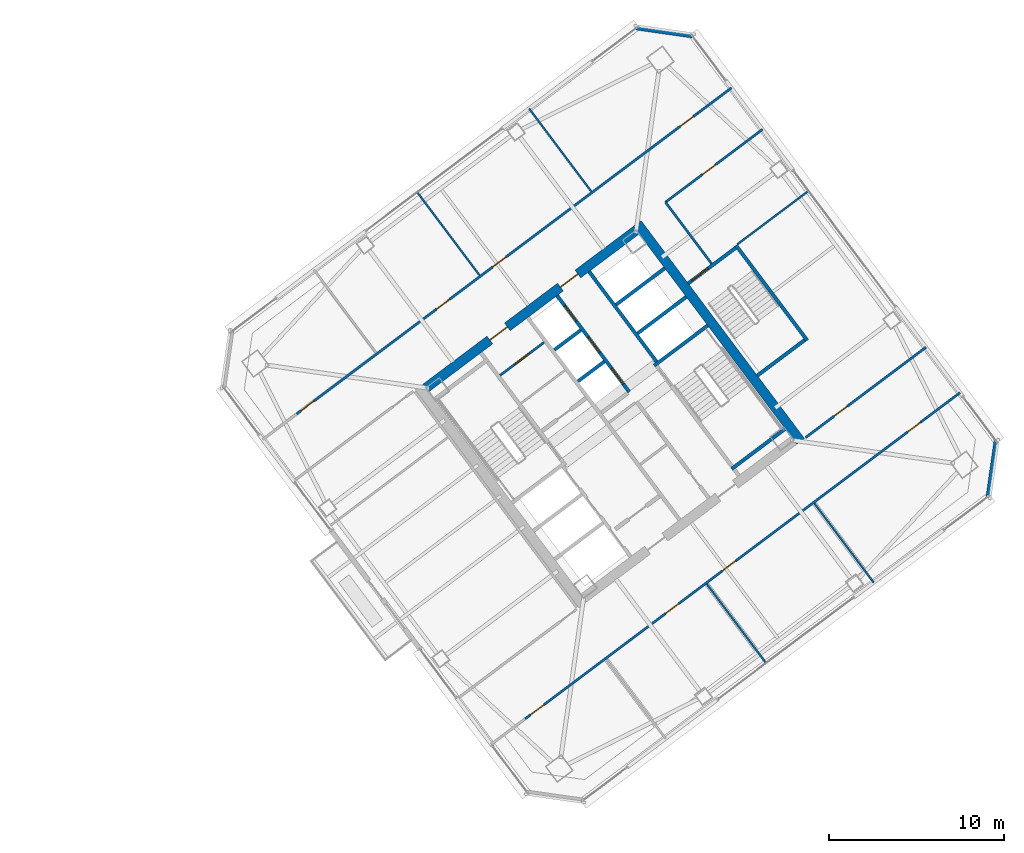
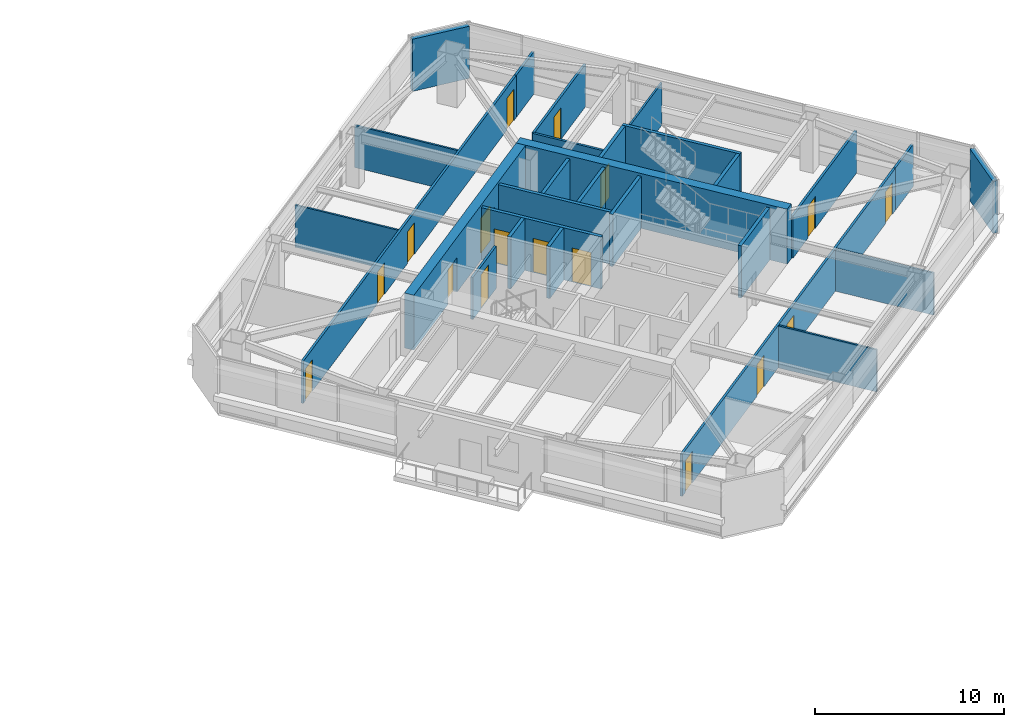
# One storey, part 34 of 41: 28 walls, 17 doors, 17 openings.
"""IFC4 building model written with IfcOpenShell, lengths in metres."""

import ifcopenshell
import ifcopenshell.guid

model = None  # the IFC model being written
_history = None  # IfcOwnerHistory: only IFC2X3 demands one
_inside = {}  # id of a spatial element -> (the spatial element, [elements in it])
_under = {}  # id of a project, library or spatial element -> (it, [spatial elements below it])
_declared = {}  # id of a project -> (the project, [libraries it declares])
_typed = {}  # id of a type object -> (the type object, [elements of that type])
_made_of = {}  # id of a material, layer set ... -> (it, [elements and type objects made of it])


def new_model(schema):
    """Start an empty IFC model of exactly this schema.

    Asked for "IFC4X3", IfcOpenShell would pick the latest addendum, in which some entities
    have other attributes; the version numbers below select the first issue.
    IFC2X3 requires an IfcOwnerHistory on every rooted entity: one is made here for all.
    """
    global model, _history
    if schema == "IFC4X3":
        model = ifcopenshell.file(schema_version=(4, 3, 0, 0))
    else:
        model = ifcopenshell.file(schema=schema)
    _inside.clear()
    _under.clear()
    _declared.clear()
    _typed.clear()
    _made_of.clear()
    _history = None
    if model.schema == "IFC2X3":
        org = make("IfcOrganization", Name="unknown")
        user = make(
            "IfcPersonAndOrganization",
            ThePerson=make("IfcPerson", FamilyName="unknown"),
            TheOrganization=org,
        )
        app = make(
            "IfcApplication",
            ApplicationDeveloper=org,
            Version="unknown",
            ApplicationFullName="unknown",
            ApplicationIdentifier="unknown",
        )
        _history = make(
            "IfcOwnerHistory",
            OwningUser=user,
            OwningApplication=app,
            ChangeAction="ADDED",
            CreationDate=0,
        )
    return model


def make(cls, **values):
    """One entity of the class cls with the attributes given. An attribute that is None is left unset."""
    return model.create_entity(
        cls, **{name: value for name, value in values.items() if value is not None}
    )


def rooted(cls, **values):
    """An entity with a GlobalId (a new one), such as an element, a storey or a relation."""
    return make(cls, GlobalId=ifcopenshell.guid.new(), OwnerHistory=_history, **values)


def si_unit(unit_type, name, prefix=None):
    """IfcSIUnit, for example si_unit("LENGTHUNIT", "METRE", prefix="MILLI")."""
    return make("IfcSIUnit", UnitType=unit_type, Prefix=prefix, Name=name)


def assignment(units):
    """IfcUnitAssignment: the units of a project."""
    return None if units is None else make("IfcUnitAssignment", Units=units)


def point(xyz):
    """IfcCartesianPoint."""
    return None if xyz is None else make("IfcCartesianPoint", Coordinates=xyz)


def direction(xyz):
    """IfcDirection."""
    return None if xyz is None else make("IfcDirection", DirectionRatios=xyz)


def frame(location, z_axis=None, x_axis=None):
    """IfcAxis2Placement3D, a coordinate frame: its origin and axes. An axis left out is left unset."""
    return make(
        "IfcAxis2Placement3D",
        Location=point(location),
        Axis=direction(z_axis),
        RefDirection=direction(x_axis),
    )


def frame_2d(location, x_axis=None):
    """IfcAxis2Placement2D, a coordinate frame in the plane: its origin and x axis."""
    return make(
        "IfcAxis2Placement2D", Location=point(location), RefDirection=direction(x_axis)
    )


def origin():
    """The frame at (0, 0, 0) with its axes left unset."""
    return frame((0.0, 0.0, 0.0))


def place(relative_to, where):
    """IfcLocalPlacement: puts the frame where relative to a parent placement (None: the world)."""
    return make(
        "IfcLocalPlacement", PlacementRelTo=relative_to, RelativePlacement=where
    )


def context(
    kind, dimensions, precision=None, world=None, true_north=None, identifier=None
):
    """IfcGeometricRepresentationContext, for example the 3D "Model" context."""
    return make(
        "IfcGeometricRepresentationContext",
        ContextIdentifier=identifier,
        ContextType=kind,
        CoordinateSpaceDimension=dimensions,
        Precision=precision,
        WorldCoordinateSystem=world,
        TrueNorth=true_north,
    )


def subcontext(parent, identifier, kind, view, scale=None):
    """IfcGeometricRepresentationSubContext, for example "Body" below "Model"."""
    return make(
        "IfcGeometricRepresentationSubContext",
        ContextIdentifier=identifier,
        ContextType=kind,
        ParentContext=parent,
        TargetScale=scale,
        TargetView=view,
    )


def project(units=None, contexts=None):
    """IfcProject with its units and contexts."""
    return rooted(
        "IfcProject",
        Name="project",
        RepresentationContexts=contexts,
        UnitsInContext=assignment(units),
    )


def spatial(cls, under=None, at=None, **own):
    """A site, building, storey or space (cls), placed at a placement, below another one or the project."""
    s = rooted(cls, ObjectPlacement=at, **own)
    if under is not None:
        _under.setdefault(under.id(), (under, []))[1].append(s)
    return s


def profile(cls, at=None, kind="AREA", **sizes):
    """A parametric profile (cls). Its sizes go by their IFC names, for example OverallWidth=200.0."""
    return make(cls, ProfileType=kind, Position=at, **sizes)


def rectangle(**sizes):
    """IfcRectangleProfileDef."""
    return profile("IfcRectangleProfileDef", **sizes)


def extrude(swept, where, along, depth):
    """IfcExtrudedAreaSolid: the profile swept, set in the frame where, extruded along a direction by depth."""
    return make(
        "IfcExtrudedAreaSolid",
        SweptArea=swept,
        Position=where,
        ExtrudedDirection=direction(along),
        Depth=depth,
    )


def shape(context_of_items, identifier, shape_type, items):
    """IfcShapeRepresentation: the items that make up one representation, for example the "Body"."""
    return make(
        "IfcShapeRepresentation",
        ContextOfItems=context_of_items,
        RepresentationIdentifier=identifier,
        RepresentationType=shape_type,
        Items=items,
    )


def material(Name=None, Category=None):
    """IfcMaterial."""
    return make("IfcMaterial", Name=Name, Category=Category)


def layer(
    of_material, thickness, ventilated=None, Name=None, Category=None, Priority=None
):
    """IfcMaterialLayer: one layer of a wall or slab, of a material (None: an air gap)."""
    return make(
        "IfcMaterialLayer",
        Material=of_material,
        LayerThickness=thickness,
        IsVentilated=ventilated,
        Name=Name,
        Category=Category,
        Priority=Priority,
    )


def layer_set(layers, Name=None):
    """IfcMaterialLayerSet."""
    return make("IfcMaterialLayerSet", MaterialLayers=layers, LayerSetName=Name)


def made_of(thing, what):
    """Note that an element or type object is made of a material, layer set ...; save() writes the relation."""
    if what is not None:
        _made_of.setdefault(what.id(), (what, []))[1].append(thing)
    return thing


def type_object(cls, material=None, **own):
    """A type object (cls), such as IfcWallType, which elements share."""
    return made_of(rooted(cls, **own), material)


def element(
    cls,
    number,
    at=None,
    inside=None,
    cuts=None,
    type_object=None,
    material=None,
    context=None,
    identifier="Body",
    shape_type=None,
    held_by="IfcProductDefinitionShape",
    body=None,
    shapes=None,
    **own,
):
    """One element of the class cls, such as IfcWall. Its Tag is "e" and its number.

    at: its placement. inside: the storey or other place that contains it. cuts: it is an
    opening in that element (IfcRelVoidsElement). A single representation is given by context,
    identifier, shape_type and body (its items); several are given by shapes. held_by: the class
    of the entity that holds the representations. save() writes the other relations.
    """
    e = rooted(cls, Tag="e%d" % number, ObjectPlacement=at, **own)
    if body is not None:
        shapes = [shape(context, identifier, shape_type, body)]
    if shapes is not None:
        e.Representation = make(held_by, Representations=shapes)
    if inside is not None:
        _inside.setdefault(inside.id(), (inside, []))[1].append(e)
    if cuts is not None:
        rooted(
            "IfcRelVoidsElement", RelatingBuildingElement=cuts, RelatedOpeningElement=e
        )
    if type_object is not None:
        _typed.setdefault(type_object.id(), (type_object, []))[1].append(e)
    return made_of(e, material)


def fill(opening, filler):
    """IfcRelFillsElement: the door or window that sits in an opening."""
    return rooted(
        "IfcRelFillsElement",
        RelatingOpeningElement=opening,
        RelatedBuildingElement=filler,
    )


def aggregate(whole, parts):
    """IfcRelAggregates: a whole, such as a stair, and the parts it consists of."""
    return rooted("IfcRelAggregates", RelatingObject=whole, RelatedObjects=parts)


def save(model, path):
    """Write the relations noted so far, then the file.

    IfcRelAggregates (storeys below a building ...), IfcRelContainedInSpatialStructure (elements
    in a storey), IfcRelDefinesByType, IfcRelAssociatesMaterial and IfcRelDeclares: one each for
    every whole, place, type object, material and project.
    """
    for whole, parts in _under.values():
        aggregate(whole, parts)
    for where, things in _inside.values():
        rooted(
            "IfcRelContainedInSpatialStructure",
            RelatedElements=things,
            RelatingStructure=where,
        )
    for kind, things in _typed.values():
        rooted("IfcRelDefinesByType", RelatedObjects=things, RelatingType=kind)
    for what, things in _made_of.values():
        rooted("IfcRelAssociatesMaterial", RelatedObjects=things, RelatingMaterial=what)
    for by, libraries in _declared.values():
        rooted("IfcRelDeclares", RelatingContext=by, RelatedDefinitions=libraries)
    model.write(path)


model = new_model("IFC4")

# Units and contexts
model_context = context("Model", 3, precision=1e-05, world=origin(), true_north=direction((0.0, 1.0)))
body_context = subcontext(model_context, "Body", "Model", "MODEL_VIEW")
ifc_project = project(units=[si_unit("LENGTHUNIT", "METRE"), si_unit("AREAUNIT", "SQUARE_METRE"), si_unit("VOLUMEUNIT", "CUBIC_METRE"), si_unit("PLANEANGLEUNIT", "RADIAN"), si_unit("MASSUNIT", "GRAM", prefix="KILO")], contexts=[model_context])

# Site, building, storey
site_placement = place(None, origin())
site = spatial("IfcSite", under=ifc_project, at=site_placement, CompositionType="ELEMENT")
building_placement = place(site_placement, origin())
building = spatial("IfcBuilding", under=site, at=building_placement, Name="Tashvorn Skyway Center", CompositionType="ELEMENT")
storey_placement = place(building_placement, frame((0.0, 0.0, 171.199951171875)))
storey = spatial("IfcBuildingStorey", under=building, at=storey_placement, Name="L46", CompositionType="ELEMENT", Elevation=171.199951171875)

# Wall
ifc_material_1 = material(Name="Concrete C60/75", Category="concrete")
ifc_layer_1 = layer(ifc_material_1, 0.550048828125)
ifc_layer_set_1 = layer_set([ifc_layer_1], Name="Concrete C60/75")
wall_type_1 = type_object("IfcWallType", Name="WALL-CORE-550", PredefinedType="SHEAR", material=ifc_layer_set_1)
wall_1_placement = place(storey_placement, frame((115.56396484375, 42.923095703125, 0.0), z_axis=(0.0, 0.0, 1.0), x_axis=(0.600005007985, -0.799996243986, 0.0)))
element("IfcWall", 1, at=wall_1_placement, inside=storey, type_object=wall_type_1, Name="Tower 2 L46 East Core Shear Wall", PredefinedType="SHEAR", context=body_context, shape_type="SweptSolid", body=[
    extrude(rectangle(XDim=15.60009765625, YDim=0.550048828125, at=frame_2d((7.800048828125, 0.0))), origin(), (0.0, 0.0, 1.0), 3.550048828125),
])

# Wall, openings, doors
wall_2_placement = place(storey_placement, frame((103.4609375, 33.501953125, 0.0), z_axis=(0.0, 0.0, 1.0), x_axis=(0.799998054672, 0.600002593761, 0.0)))
wall_2 = element("IfcWall", 2, at=wall_2_placement, inside=storey, type_object=wall_type_1, Name="Tower 2 L46 North Core Shear Wall", PredefinedType="SHEAR", context=body_context, shape_type="SweptSolid", body=[
    extrude(rectangle(XDim=15.06005859375, YDim=0.550048828125, at=frame_2d((7.530029296875, 0.0))), origin(), (0.0, 0.0, 1.0), 3.550048828125),
])
opening_1_placement = place(wall_2_placement, frame((4.580078125, 0.0, 0.0)))
opening_1 = element("IfcOpeningElement", 3, at=opening_1_placement, cuts=wall_2, Name="Opening D-FFL-1250", PredefinedType="OPENING", context=body_context, shape_type="SweptSolid", body=[
    extrude(rectangle(XDim=1.25, YDim=2.25, at=frame_2d((0.625, 1.125))), frame((0.0, 0.284912109375, 0.0), z_axis=(0.0, -1.0, 0.0), x_axis=(1.0, 0.0, 0.0)), (0.0, 0.0, 1.0), 0.570068359375),
])
opening_2_placement = place(wall_2_placement, frame((9.6298828125, 0.0, 0.0)))
opening_2 = element("IfcOpeningElement", 4, at=opening_2_placement, cuts=wall_2, Name="Opening D-FFL-1250", PredefinedType="OPENING", context=body_context, shape_type="SweptSolid", body=[
    extrude(rectangle(XDim=1.25, YDim=2.25, at=frame_2d((0.625, 1.125))), frame((0.0, 0.284912109375, 0.0), z_axis=(0.0, -1.0, 0.0), x_axis=(1.0, 0.0, 0.0)), (0.0, 0.0, 1.0), 0.570068359375),
])
ifc_material_2 = material(Name="Hollow galvanized steel fire door assembly", Category="steel")
door_type_1 = type_object("IfcDoorType", Name="DOOR-FFL-1250", OperationType="NOTDEFINED", PredefinedType="DOOR", material=ifc_material_2)
door_1_placement = place(opening_1_placement, origin())
door_1 = element("IfcDoor", 5, at=door_1_placement, inside=storey, type_object=door_type_1, Name="Tower 2 L46 Core North Service Lobby Door", OperationType="SINGLE_SWING_LEFT", OverallHeight=2.25, OverallWidth=1.25, PredefinedType="DOOR", context=body_context, shape_type="SweptSolid", body=[
    extrude(rectangle(XDim=1.25, YDim=2.25, at=frame_2d((0.625, 1.125))), frame((0.0, 0.02490234375, 0.0), z_axis=(0.0, -1.0, 0.0), x_axis=(1.0, 0.0, 0.0)), (0.0, 0.0, 1.0), 0.050048828125),
])
fill(opening_1, door_1)
door_2_placement = place(opening_2_placement, origin())
door_2 = element("IfcDoor", 6, at=door_2_placement, inside=storey, type_object=door_type_1, Name="Tower 2 L46 Core North Lift Lobby Door", OperationType="SINGLE_SWING_RIGHT", OverallHeight=2.25, OverallWidth=1.25, PredefinedType="DOOR", context=body_context, shape_type="SweptSolid", body=[
    extrude(rectangle(XDim=1.25, YDim=2.25, at=frame_2d((0.625, 1.125))), frame((0.0, 0.02490234375, 0.0), z_axis=(0.0, -1.0, 0.0), x_axis=(1.0, 0.0, 0.0)), (0.0, 0.0, 1.0), 0.050048828125),
])
fill(opening_2, door_2)

# Walls
ifc_material_3 = material(Name="Precast concrete C40/50", Category="concrete")
ifc_layer_2 = layer(ifc_material_3, 0.280029296875)
ifc_layer_set_2 = layer_set([ifc_layer_2], Name="Precast concrete C40/50")
wall_type_2 = type_object("IfcWallType", Name="WALL-EXT-280", PredefinedType="SOLIDWALL", material=ifc_layer_set_2)
for number, where, z_axis, x_axis, name in (
    (7, (115.52001953125, 54.139892578125, 0.0), (0.0, 0.0, 1.0), (0.989950994782, -0.141410847992, 0.0), "Tower 2 L46 NE Precast Chamfer Wall"),
    (8, (136.139892578125, 30.47998046875, 0.0), (0.0, 0.0, 1.0), (-0.141410847992, -0.989950994782, 0.0), "Tower 2 L46 SE Precast Chamfer Wall"),
):
    element("IfcWall", number, at=place(storey_placement, frame(where, z_axis=z_axis, x_axis=x_axis)), inside=storey, type_object=wall_type_2, Name=name, PredefinedType="SOLIDWALL", context=body_context, shape_type="SweptSolid", body=[
        extrude(rectangle(XDim=3.252685546875, YDim=0.280029296875, at=frame_2d((1.62646484375, 0.0))), origin(), (0.0, 0.0, 1.0), 3.3701171875),
    ])
ifc_material_4 = material(Name="Gypsum board on cold-formed steel stud framing", Category="steel")
ifc_layer_3 = layer(ifc_material_4, 0.110107421875)
ifc_layer_set_3 = layer_set([ifc_layer_3], Name="Gypsum board on cold-formed steel stud framing")
wall_type_3 = type_object("IfcWallType", Name="WALL-PART-110", PredefinedType="PARTITIONING", material=ifc_layer_set_3)
wall_3_placement = place(storey_placement, frame((106.530029296875, 39.9599609375, 0.0), z_axis=(0.0, 0.0, 1.0), x_axis=(-0.6, 0.8, 0.0)))
element("IfcWall", 9, at=wall_3_placement, inside=storey, type_object=wall_type_3, Name="Tower 2 L46 North Suite Partition 2", PredefinedType="PARTITIONING", context=body_context, shape_type="SweptSolid", body=[
    extrude(rectangle(XDim=5.93017578125, YDim=0.110107421875, at=frame_2d((2.965087890625, 0.0))), origin(), (0.0, 0.0, 1.0), 2.72314453125),
])
wall_4_placement = place(storey_placement, frame((112.929931640625, 44.760009765625, 0.0), z_axis=(0.0, 0.0, 1.0), x_axis=(-0.599993412527, 0.800004940562, 0.0)))
element("IfcWall", 10, at=wall_4_placement, inside=storey, type_object=wall_type_3, Name="Tower 2 L46 North Suite Partition 3", PredefinedType="PARTITIONING", context=body_context, shape_type="SweptSolid", body=[
    extrude(rectangle(XDim=5.929931640625, YDim=0.110107421875, at=frame_2d((2.96484375, 0.0))), origin(), (0.0, 0.0, 1.0), 2.72314453125),
])
for number, where, z_axis, x_axis, name in (
    (11, (122.947998046875, 17.736083984375, 0.0), (0.0, 0.0, 1.0), (-0.599986172357, 0.800010370545, 0.0), "Tower 2 L46 South Suite Partition 2"),
    (12, (129.10791015625, 22.35595703125, 0.0), (0.0, 0.0, 1.0), (-0.599986172357, 0.800010370545, 0.0), "Tower 2 L46 South Suite Partition 3"),
):
    element("IfcWall", number, at=place(storey_placement, frame(where, z_axis=z_axis, x_axis=x_axis)), inside=storey, type_object=wall_type_3, Name=name, PredefinedType="PARTITIONING", context=body_context, shape_type="SweptSolid", body=[
        extrude(rectangle(XDim=5.64990234375, YDim=0.110107421875, at=frame_2d((2.824951171875, 0.0))), origin(), (0.0, 0.0, 1.0), 2.72314453125),
    ])
wall_5_placement = place(storey_placement, frame((125.384033203125, 44.7880859375, 0.0), z_axis=(0.0, 0.0, 1.0), x_axis=(-0.8, -0.6, 0.0)))
element("IfcWall", 13, at=wall_5_placement, inside=storey, type_object=wall_type_3, Name="Tower 2 L46 East Suite Partition 1", PredefinedType="PARTITIONING", context=body_context, shape_type="SweptSolid", body=[
    extrude(rectangle(XDim=5.10009765625, YDim=0.110107421875, at=frame_2d((2.550048828125, 0.0))), origin(), (0.0, 0.0, 1.0), 2.72314453125),
])
ifc_layer_4 = layer(ifc_material_4, 0.135009765625)
ifc_layer_set_4 = layer_set([ifc_layer_4], Name="Gypsum board on cold-formed steel stud framing")
wall_type_4 = type_object("IfcWallType", Name="WALL-PART-135", PredefinedType="PARTITIONING", material=ifc_layer_set_4)
wall_6_placement = place(storey_placement, frame((119.823974609375, 40.617919921875, 0.0), z_axis=(0.0, 0.0, 1.0), x_axis=(-0.599982243973, 0.800013316712, 0.0)))
element("IfcWall", 14, at=wall_6_placement, inside=storey, type_object=wall_type_4, Name="Tower 2 L46 Stair 3 Access Corridor Wall", PredefinedType="PARTITIONING", context=body_context, shape_type="SweptSolid", body=[
    extrude(rectangle(XDim=4.39990234375, YDim=0.135009765625, at=frame_2d((2.199951171875, 0.0))), origin(), (0.0, 0.0, 1.0), 2.72314453125),
])

# Wall, openings, doors
wall_7_placement = place(storey_placement, frame((96.05810546875, 32.006103515625, 0.0), z_axis=(0.0, 0.0, 1.0), x_axis=(0.8, 0.6, 0.0)))
wall_7 = element("IfcWall", 15, at=wall_7_placement, inside=storey, type_object=wall_type_4, Name="Tower 2 L46 North Suite Wall", PredefinedType="PARTITIONING", context=body_context, shape_type="SweptSolid", body=[
    extrude(rectangle(XDim=28.699951171875, YDim=0.135009765625, at=frame_2d((14.35009765625, 0.0))), origin(), (0.0, 0.0, 1.0), 2.72314453125),
])
opening_3_placement = place(wall_7_placement, frame((0.300048828125, 0.0, 0.0)))
opening_3 = element("IfcOpeningElement", 16, at=opening_3_placement, cuts=wall_7, Name="Opening D-INT-950", PredefinedType="OPENING", context=body_context, shape_type="SweptSolid", body=[
    extrude(rectangle(XDim=0.949951171875, YDim=2.050048828125, at=frame_2d((0.47509765625, 1.02490234375))), frame((0.0, 0.077392578125, 0.0), z_axis=(0.0, -1.0, 0.0), x_axis=(1.0, 0.0, 0.0)), (0.0, 0.0, 1.0), 0.155029296875),
])
opening_4_placement = place(wall_7_placement, frame((10.009521484375, 0.0, 0.0)))
opening_4 = element("IfcOpeningElement", 17, at=opening_4_placement, cuts=wall_7, Name="Opening D-INT-950", PredefinedType="OPENING", context=body_context, shape_type="SweptSolid", body=[
    extrude(rectangle(XDim=0.949951171875, YDim=2.050048828125, at=frame_2d((0.47509765625, 1.02490234375))), frame((0.0, 0.077392578125, 0.0), z_axis=(0.0, -1.0, 0.0), x_axis=(1.0, 0.0, 0.0)), (0.0, 0.0, 1.0), 0.155029296875),
])
opening_5_placement = place(wall_7_placement, frame((14.033203125, 0.0, 0.0)))
opening_5 = element("IfcOpeningElement", 18, at=opening_5_placement, cuts=wall_7, Name="Opening D-INT-950", PredefinedType="OPENING", context=body_context, shape_type="SweptSolid", body=[
    extrude(rectangle(XDim=0.949951171875, YDim=2.050048828125, at=frame_2d((0.47509765625, 1.02490234375))), frame((0.0, 0.077392578125, 0.0), z_axis=(0.0, -1.0, 0.0), x_axis=(1.0, 0.0, 0.0)), (0.0, 0.0, 1.0), 0.155029296875),
])
opening_6_placement = place(wall_7_placement, frame((27.449951171875, 0.0, 0.0)))
opening_6 = element("IfcOpeningElement", 19, at=opening_6_placement, cuts=wall_7, Name="Opening D-INT-950", PredefinedType="OPENING", context=body_context, shape_type="SweptSolid", body=[
    extrude(rectangle(XDim=0.949951171875, YDim=2.050048828125, at=frame_2d((0.47509765625, 1.02490234375))), frame((0.0, 0.077392578125, 0.0), z_axis=(0.0, -1.0, 0.0), x_axis=(1.0, 0.0, 0.0)), (0.0, 0.0, 1.0), 0.155029296875),
])
ifc_material_5 = material(Name="Solid-core architectural oak veneer door")
door_type_2 = type_object("IfcDoorType", Name="DOOR-INT-950", OperationType="NOTDEFINED", PredefinedType="DOOR", material=ifc_material_5)
door_3_placement = place(opening_3_placement, origin())
door_3 = element("IfcDoor", 20, at=door_3_placement, inside=storey, type_object=door_type_2, Name="Tower 2 L46 Conference Room Door", OperationType="SINGLE_SWING_RIGHT", OverallHeight=2.050048828125, OverallWidth=0.949951171875, PredefinedType="DOOR", context=body_context, shape_type="SweptSolid", body=[
    extrude(rectangle(XDim=0.949951171875, YDim=2.050048828125, at=frame_2d((0.47509765625, 1.02490234375))), frame((0.0, 0.02490234375, 0.0), z_axis=(0.0, -1.0, 0.0), x_axis=(1.0, 0.0, 0.0)), (0.0, 0.0, 1.0), 0.050048828125),
])
fill(opening_3, door_3)
door_4_placement = place(opening_4_placement, origin())
door_4 = element("IfcDoor", 21, at=door_4_placement, inside=storey, type_object=door_type_2, Name="Tower 2 L46 Conference Room Door", OperationType="SINGLE_SWING_LEFT", OverallHeight=2.050048828125, OverallWidth=0.949951171875, PredefinedType="DOOR", context=body_context, shape_type="SweptSolid", body=[
    extrude(rectangle(XDim=0.949951171875, YDim=2.050048828125, at=frame_2d((0.47509765625, 1.02490234375))), frame((0.0, 0.02490234375, 0.0), z_axis=(0.0, -1.0, 0.0), x_axis=(1.0, 0.0, 0.0)), (0.0, 0.0, 1.0), 0.050048828125),
])
fill(opening_4, door_4)
door_5_placement = place(opening_5_placement, origin())
door_5 = element("IfcDoor", 22, at=door_5_placement, inside=storey, type_object=door_type_2, Name="Tower 2 L46 Staff Fitness Club Door", OperationType="SINGLE_SWING_RIGHT", OverallHeight=2.050048828125, OverallWidth=0.949951171875, PredefinedType="DOOR", context=body_context, shape_type="SweptSolid", body=[
    extrude(rectangle(XDim=0.949951171875, YDim=2.050048828125, at=frame_2d((0.47509765625, 1.02490234375))), frame((0.0, 0.02490234375, 0.0), z_axis=(0.0, -1.0, 0.0), x_axis=(1.0, 0.0, 0.0)), (0.0, 0.0, 1.0), 0.050048828125),
])
fill(opening_5, door_5)
door_6_placement = place(opening_6_placement, origin())
door_6 = element("IfcDoor", 23, at=door_6_placement, inside=storey, type_object=door_type_2, Name="Tower 2 L46 Gallery Showroom Door", OperationType="SINGLE_SWING_LEFT", OverallHeight=2.050048828125, OverallWidth=0.949951171875, PredefinedType="DOOR", context=body_context, shape_type="SweptSolid", body=[
    extrude(rectangle(XDim=0.949951171875, YDim=2.050048828125, at=frame_2d((0.47509765625, 1.02490234375))), frame((0.0, 0.02490234375, 0.0), z_axis=(0.0, -1.0, 0.0), x_axis=(1.0, 0.0, 0.0)), (0.0, 0.0, 1.0), 0.050048828125),
])
fill(opening_6, door_6)

# Wall
wall_8_placement = place(storey_placement, frame((119.01806640625, 49.22607421875, 0.0), z_axis=(0.0, 0.0, 1.0), x_axis=(0.799975885537, 0.600032151272, 0.0)))
element("IfcWall", 24, at=wall_8_placement, inside=storey, type_object=wall_type_4, Name="Tower 2 L46 North-East Suite South Wall", PredefinedType="PARTITIONING", context=body_context, shape_type="SweptSolid", body=[
    extrude(rectangle(XDim=2.429931640625, YDim=0.135009765625, at=frame_2d((1.21484375, 0.0))), origin(), (0.0, 0.0, 1.0), 2.72314453125),
])

# Wall, openings, doors
wall_9_placement = place(storey_placement, frame((132.110107421875, 31.77001953125, 0.0), z_axis=(0.0, 0.0, 1.0), x_axis=(-0.800003062365, -0.599995916825, 0.0)))
wall_9 = element("IfcWall", 25, at=wall_9_placement, inside=storey, type_object=wall_type_4, Name="Tower 2 L46 South Suite Wall", PredefinedType="PARTITIONING", context=body_context, shape_type="SweptSolid", body=[
    extrude(rectangle(XDim=28.7001953125, YDim=0.135009765625, at=frame_2d((14.35009765625, 0.0))), origin(), (0.0, 0.0, 1.0), 2.72314453125),
])
opening_7_placement = place(wall_9_placement, frame((27.3701171875, 0.0, 0.0)))
opening_7 = element("IfcOpeningElement", 26, at=opening_7_placement, cuts=wall_9, Name="Opening D-INT-950", PredefinedType="OPENING", context=body_context, shape_type="SweptSolid", body=[
    extrude(rectangle(XDim=0.949951171875, YDim=2.050048828125, at=frame_2d((0.47509765625, 1.02490234375))), frame((0.0, 0.077392578125, 0.0), z_axis=(0.0, -1.0, 0.0), x_axis=(1.0, 0.0, 0.0)), (0.0, 0.0, 1.0), 0.155029296875),
])
opening_8_placement = place(wall_9_placement, frame((17.698486328125, 0.0, 0.0)))
opening_8 = element("IfcOpeningElement", 27, at=opening_8_placement, cuts=wall_9, Name="Opening D-INT-950", PredefinedType="OPENING", context=body_context, shape_type="SweptSolid", body=[
    extrude(rectangle(XDim=0.949951171875, YDim=2.050048828125, at=frame_2d((0.47509765625, 1.02490234375))), frame((0.0, 0.077392578125, 0.0), z_axis=(0.0, -1.0, 0.0), x_axis=(1.0, 0.0, 0.0)), (0.0, 0.0, 1.0), 0.155029296875),
])
opening_9_placement = place(wall_9_placement, frame((13.638671875, 0.0, 0.0)))
opening_9 = element("IfcOpeningElement", 28, at=opening_9_placement, cuts=wall_9, Name="Opening D-INT-950", PredefinedType="OPENING", context=body_context, shape_type="SweptSolid", body=[
    extrude(rectangle(XDim=0.949951171875, YDim=2.050048828125, at=frame_2d((0.47509765625, 1.02490234375))), frame((0.0, 0.077392578125, 0.0), z_axis=(0.0, -1.0, 0.0), x_axis=(1.0, 0.0, 0.0)), (0.0, 0.0, 1.0), 0.155029296875),
])
opening_10_placement = place(wall_9_placement, frame((0.3798828125, 0.0, 0.0)))
opening_10 = element("IfcOpeningElement", 29, at=opening_10_placement, cuts=wall_9, Name="Opening D-INT-950", PredefinedType="OPENING", context=body_context, shape_type="SweptSolid", body=[
    extrude(rectangle(XDim=0.949951171875, YDim=2.050048828125, at=frame_2d((0.47509765625, 1.02490234375))), frame((0.0, 0.077392578125, 0.0), z_axis=(0.0, -1.0, 0.0), x_axis=(1.0, 0.0, 0.0)), (0.0, 0.0, 1.0), 0.155029296875),
])
door_7_placement = place(opening_7_placement, origin())
door_7 = element("IfcDoor", 30, at=door_7_placement, inside=storey, type_object=door_type_2, Name="Tower 2 L46 Conference Room Door", OperationType="SINGLE_SWING_RIGHT", OverallHeight=2.050048828125, OverallWidth=0.949951171875, PredefinedType="DOOR", context=body_context, shape_type="SweptSolid", body=[
    extrude(rectangle(XDim=0.949951171875, YDim=2.050048828125, at=frame_2d((0.47509765625, 1.02490234375))), frame((0.0, 0.02490234375, 0.0), z_axis=(0.0, -1.0, 0.0), x_axis=(1.0, 0.0, 0.0)), (0.0, 0.0, 1.0), 0.050048828125),
])
fill(opening_7, door_7)
door_8_placement = place(opening_8_placement, origin())
door_8 = element("IfcDoor", 31, at=door_8_placement, inside=storey, type_object=door_type_2, Name="Tower 2 L46 Staff Fitness Club Door", OperationType="SINGLE_SWING_LEFT", OverallHeight=2.050048828125, OverallWidth=0.949951171875, PredefinedType="DOOR", context=body_context, shape_type="SweptSolid", body=[
    extrude(rectangle(XDim=0.949951171875, YDim=2.050048828125, at=frame_2d((0.47509765625, 1.02490234375))), frame((0.0, 0.02490234375, 0.0), z_axis=(0.0, -1.0, 0.0), x_axis=(1.0, 0.0, 0.0)), (0.0, 0.0, 1.0), 0.050048828125),
])
fill(opening_8, door_8)
door_9_placement = place(opening_9_placement, origin())
door_9 = element("IfcDoor", 32, at=door_9_placement, inside=storey, type_object=door_type_2, Name="Tower 2 L46 Staff Fitness Club Door", OperationType="SINGLE_SWING_RIGHT", OverallHeight=2.050048828125, OverallWidth=0.949951171875, PredefinedType="DOOR", context=body_context, shape_type="SweptSolid", body=[
    extrude(rectangle(XDim=0.949951171875, YDim=2.050048828125, at=frame_2d((0.47509765625, 1.02490234375))), frame((0.0, 0.02490234375, 0.0), z_axis=(0.0, -1.0, 0.0), x_axis=(1.0, 0.0, 0.0)), (0.0, 0.0, 1.0), 0.050048828125),
])
fill(opening_9, door_9)
door_10_placement = place(opening_10_placement, origin())
door_10 = element("IfcDoor", 33, at=door_10_placement, inside=storey, type_object=door_type_2, Name="Tower 2 L46 Catering Pantry Door", OperationType="SINGLE_SWING_LEFT", OverallHeight=2.050048828125, OverallWidth=0.949951171875, PredefinedType="DOOR", context=body_context, shape_type="SweptSolid", body=[
    extrude(rectangle(XDim=0.949951171875, YDim=2.050048828125, at=frame_2d((0.47509765625, 1.02490234375))), frame((0.0, 0.02490234375, 0.0), z_axis=(0.0, -1.0, 0.0), x_axis=(1.0, 0.0, 0.0)), (0.0, 0.0, 1.0), 0.050048828125),
])
fill(opening_10, door_10)

# Wall
wall_10_placement = place(storey_placement, frame((132.110107421875, 31.77001953125, 0.0), z_axis=(0.0, 0.0, 1.0), x_axis=(0.799975885537, 0.600032151272, 0.0)))
element("IfcWall", 34, at=wall_10_placement, inside=storey, type_object=wall_type_4, Name="Tower 2 L46 South-East Suite North Wall", PredefinedType="PARTITIONING", context=body_context, shape_type="SweptSolid", body=[
    extrude(rectangle(XDim=2.429931640625, YDim=0.135009765625, at=frame_2d((1.21484375, 0.0))), origin(), (0.0, 0.0, 1.0), 2.72314453125),
])

# Wall, opening, door
wall_11_placement = place(storey_placement, frame((122.743896484375, 48.30810546875, 0.0), z_axis=(0.0, 0.0, 1.0), x_axis=(-0.79997892247, -0.600028102345, 0.0)))
wall_11 = element("IfcWall", 35, at=wall_11_placement, inside=storey, type_object=wall_type_4, Name="Tower 2 L46 East Suite North Wall", PredefinedType="PARTITIONING", context=body_context, shape_type="SweptSolid", body=[
    extrude(rectangle(XDim=6.949951171875, YDim=0.135009765625, at=frame_2d((3.47509765625, 0.0))), origin(), (0.0, 0.0, 1.0), 2.72314453125),
])
opening_11_placement = place(wall_11_placement, frame((3.35009765625, 0.0, 0.0)))
opening_11 = element("IfcOpeningElement", 36, at=opening_11_placement, cuts=wall_11, Name="Opening D-INT-950", PredefinedType="OPENING", context=body_context, shape_type="SweptSolid", body=[
    extrude(rectangle(XDim=0.949951171875, YDim=2.050048828125, at=frame_2d((0.47509765625, 1.02490234375))), frame((0.0, 0.077392578125, 0.0), z_axis=(0.0, -1.0, 0.0), x_axis=(1.0, 0.0, 0.0)), (0.0, 0.0, 1.0), 0.155029296875),
])
door_11_placement = place(opening_11_placement, origin())
door_11 = element("IfcDoor", 37, at=door_11_placement, inside=storey, type_object=door_type_2, Name="Tower 2 L46 Gallery Showroom Door", OperationType="SINGLE_SWING_RIGHT", OverallHeight=2.050048828125, OverallWidth=0.949951171875, PredefinedType="DOOR", context=body_context, shape_type="SweptSolid", body=[
    extrude(rectangle(XDim=0.949951171875, YDim=2.050048828125, at=frame_2d((0.47509765625, 1.02490234375))), frame((0.0, 0.02490234375, 0.0), z_axis=(0.0, -1.0, 0.0), x_axis=(1.0, 0.0, 0.0)), (0.0, 0.0, 1.0), 0.050048828125),
])
fill(opening_11, door_11)

wall_12_placement = place(storey_placement, frame((125.2080078125, 30.656005859375, 0.0), z_axis=(0.0, 0.0, 1.0), x_axis=(0.800006797429, 0.599990936654, 0.0)))
wall_12 = element("IfcWall", 38, at=wall_12_placement, inside=storey, type_object=wall_type_4, Name="Tower 2 L46 East Suite South Wall", PredefinedType="PARTITIONING", context=body_context, shape_type="SweptSolid", body=[
    extrude(rectangle(XDim=8.619873046875, YDim=0.135009765625, at=frame_2d((4.31005859375, 0.0))), origin(), (0.0, 0.0, 1.0), 2.72314453125),
])
opening_12_placement = place(wall_12_placement, frame((2.044921875, 0.0, 0.0)))
opening_12 = element("IfcOpeningElement", 39, at=opening_12_placement, cuts=wall_12, Name="Opening D-INT-950", PredefinedType="OPENING", context=body_context, shape_type="SweptSolid", body=[
    extrude(rectangle(XDim=0.949951171875, YDim=2.050048828125, at=frame_2d((0.47509765625, 1.02490234375))), frame((0.0, 0.077392578125, 0.0), z_axis=(0.0, -1.0, 0.0), x_axis=(1.0, 0.0, 0.0)), (0.0, 0.0, 1.0), 0.155029296875),
])
door_12_placement = place(opening_12_placement, origin())
door_12 = element("IfcDoor", 40, at=door_12_placement, inside=storey, type_object=door_type_2, Name="Tower 2 L46 Public Restroom Door", OperationType="SINGLE_SWING_LEFT", OverallHeight=2.050048828125, OverallWidth=0.949951171875, PredefinedType="DOOR", context=body_context, shape_type="SweptSolid", body=[
    extrude(rectangle(XDim=0.949951171875, YDim=2.050048828125, at=frame_2d((0.47509765625, 1.02490234375))), frame((0.0, 0.02490234375, 0.0), z_axis=(0.0, -1.0, 0.0), x_axis=(1.0, 0.0, 0.0)), (0.0, 0.0, 1.0), 0.050048828125),
])
fill(opening_12, door_12)

ifc_layer_5 = layer(ifc_material_4, 0.135009765625)
ifc_layer_set_5 = layer_set([ifc_layer_5], Name="Gypsum board on cold-formed steel stud framing")
wall_type_5 = type_object("IfcWallType", Name="WALL-RATED-135", PredefinedType="PARTITIONING", material=ifc_layer_set_5)
wall_13_placement = place(storey_placement, frame((107.7099609375, 34.219970703125, 0.0), z_axis=(0.0, 0.0, 1.0), x_axis=(0.799981399002, 0.60002480053, 0.0)))
wall_13 = element("IfcWall", 41, at=wall_13_placement, inside=storey, type_object=wall_type_5, Name="Tower 2 L46 Core Service Lobby Wall", PredefinedType="PARTITIONING", context=body_context, shape_type="SweptSolid", body=[
    extrude(rectangle(XDim=3.150146484375, YDim=0.135009765625, at=frame_2d((1.5751953125, 0.0))), origin(), (0.0, 0.0, 1.0), 2.72314453125),
])
opening_13_placement = place(wall_13_placement, frame((1.050048828125, 0.0, 0.0)))
opening_13 = element("IfcOpeningElement", 42, at=opening_13_placement, cuts=wall_13, Name="Opening D-RT-1050", PredefinedType="OPENING", context=body_context, shape_type="SweptSolid", body=[
    extrude(rectangle(XDim=1.050048828125, YDim=2.199951171875, at=frame_2d((0.52490234375, 1.10009765625))), frame((0.0, 0.077392578125, 0.0), z_axis=(0.0, -1.0, 0.0), x_axis=(1.0, 0.0, 0.0)), (0.0, 0.0, 1.0), 0.155029296875),
])
door_type_3 = type_object("IfcDoorType", Name="DOOR-RATED-1050", OperationType="NOTDEFINED", PredefinedType="DOOR", material=ifc_material_2)
door_13_placement = place(opening_13_placement, origin())
door_13 = element("IfcDoor", 43, at=door_13_placement, inside=storey, type_object=door_type_3, Name="Tower 2 L46 Core Accessible WC Door", OperationType="SINGLE_SWING_RIGHT", OverallHeight=2.199951171875, OverallWidth=1.050048828125, PredefinedType="DOOR", context=body_context, shape_type="SweptSolid", body=[
    extrude(rectangle(XDim=1.050048828125, YDim=2.199951171875, at=frame_2d((0.52490234375, 1.10009765625))), frame((0.0, 0.02490234375, 0.0), z_axis=(0.0, -1.0, 0.0), x_axis=(1.0, 0.0, 0.0)), (0.0, 0.0, 1.0), 0.050048828125),
])
fill(opening_13, door_13)

# Walls
ifc_material_6 = material(Name="Concrete C40/50", Category="concrete")
ifc_layer_6 = layer(ifc_material_6, 0.199951171875)
ifc_layer_set_6 = layer_set([ifc_layer_6], Name="Concrete C40/50")
wall_type_6 = type_object("IfcWallType", Name="WALL-SHAFT-200", PredefinedType="SOLIDWALL", material=ifc_layer_set_6)
for number, where, z_axis, x_axis, name in (
    (44, (115.590087890625, 36.6298828125, 0.0), (0.0, 0.0, 1.0), (0.799974743577, 0.600033673754, 0.0), "Tower 2 L46 High-Rise Shaft Divider"),
    (45, (114.360107421875, 38.27001953125, 0.0), (0.0, 0.0, 1.0), (0.800008418847, 0.599988774707, 0.0), "Tower 2 L46 High-Rise Shaft Divider"),
):
    element("IfcWall", number, at=place(storey_placement, frame(where, z_axis=z_axis, x_axis=x_axis)), inside=storey, type_object=wall_type_6, Name=name, PredefinedType="SOLIDWALL", context=body_context, shape_type="SweptSolid", body=[
        extrude(rectangle(XDim=3.47998046875, YDim=0.199951171875, at=frame_2d((1.739990234375, 0.0))), origin(), (0.0, 0.0, 1.0), 3.3701171875),
    ])

# Wall, openings, doors
wall_14_placement = place(storey_placement, frame((115.110107421875, 33.27001953125, 0.0), z_axis=(0.0, 0.0, 1.0), x_axis=(-0.600011322243, 0.799991508192, 0.0)))
wall_14 = element("IfcWall", 46, at=wall_14_placement, inside=storey, type_object=wall_type_6, Name="Tower 2 L46 Mid-Rise Core Wall", PredefinedType="SOLIDWALL", context=body_context, shape_type="SweptSolid", body=[
    extrude(rectangle(XDim=6.900146484375, YDim=0.199951171875, at=frame_2d((3.4501953125, 0.0))), origin(), (0.0, 0.0, 1.0), 3.3701171875),
])
opening_14_placement = place(wall_14_placement, frame((0.574951171875, 0.0, 0.0)))
opening_14 = element("IfcOpeningElement", 47, at=opening_14_placement, cuts=wall_14, Name="Opening LD-MR-T2-1-L46", PredefinedType="OPENING", context=body_context, shape_type="SweptSolid", body=[
    extrude(rectangle(XDim=1.10009765625, YDim=2.199951171875, at=frame_2d((0.550048828125, 1.10009765625))), frame((0.0, 0.10986328125, 0.0), z_axis=(0.0, -1.0, 0.0), x_axis=(1.0, 0.0, 0.0)), (0.0, 0.0, 1.0), 0.219970703125),
])
opening_15_placement = place(wall_14_placement, frame((2.824951171875, 0.0, 0.0)))
opening_15 = element("IfcOpeningElement", 48, at=opening_15_placement, cuts=wall_14, Name="Opening LD-MR-T2-2-L46", PredefinedType="OPENING", context=body_context, shape_type="SweptSolid", body=[
    extrude(rectangle(XDim=1.10009765625, YDim=2.199951171875, at=frame_2d((0.550048828125, 1.10009765625))), frame((0.0, 0.10986328125, 0.0), z_axis=(0.0, -1.0, 0.0), x_axis=(1.0, 0.0, 0.0)), (0.0, 0.0, 1.0), 0.219970703125),
])
opening_16_placement = place(wall_14_placement, frame((5.074951171875, 0.0, 0.0)))
opening_16 = element("IfcOpeningElement", 49, at=opening_16_placement, cuts=wall_14, Name="Opening LD-MR-T2-3-L46", PredefinedType="OPENING", context=body_context, shape_type="SweptSolid", body=[
    extrude(rectangle(XDim=1.10009765625, YDim=2.199951171875, at=frame_2d((0.550048828125, 1.10009765625))), frame((0.0, 0.10986328125, 0.0), z_axis=(0.0, -1.0, 0.0), x_axis=(1.0, 0.0, 0.0)), (0.0, 0.0, 1.0), 0.219970703125),
])
ifc_material_7 = material(Name="Stainless steel landing door", Category="steel")
door_type_4 = type_object("IfcDoorType", Name="DOOR-LIFT-1100", OperationType="SLIDING_TO_LEFT", PredefinedType="DOOR", material=ifc_material_7)
door_14_placement = place(opening_14_placement, origin())
door_14 = element("IfcDoor", 50, at=door_14_placement, inside=storey, type_object=door_type_4, Name="Lift MR-T2-1 L46 Landing Door", OperationType="SLIDING_TO_LEFT", OverallHeight=2.199951171875, OverallWidth=1.10009765625, PredefinedType="DOOR", context=body_context, shape_type="SweptSolid", body=[
    extrude(rectangle(XDim=1.10009765625, YDim=2.199951171875, at=frame_2d((0.550048828125, 1.10009765625))), frame((0.0, 0.02490234375, 0.0), z_axis=(0.0, -1.0, 0.0), x_axis=(1.0, 0.0, 0.0)), (0.0, 0.0, 1.0), 0.050048828125),
])
fill(opening_14, door_14)
door_15_placement = place(opening_15_placement, origin())
door_15 = element("IfcDoor", 51, at=door_15_placement, inside=storey, type_object=door_type_4, Name="Lift MR-T2-2 L46 Landing Door", OperationType="SLIDING_TO_LEFT", OverallHeight=2.199951171875, OverallWidth=1.10009765625, PredefinedType="DOOR", context=body_context, shape_type="SweptSolid", body=[
    extrude(rectangle(XDim=1.10009765625, YDim=2.199951171875, at=frame_2d((0.550048828125, 1.10009765625))), frame((0.0, 0.02490234375, 0.0), z_axis=(0.0, -1.0, 0.0), x_axis=(1.0, 0.0, 0.0)), (0.0, 0.0, 1.0), 0.050048828125),
])
fill(opening_15, door_15)
door_16_placement = place(opening_16_placement, origin())
door_16 = element("IfcDoor", 52, at=door_16_placement, inside=storey, type_object=door_type_4, Name="Lift MR-T2-3 L46 Landing Door", OperationType="SLIDING_TO_LEFT", OverallHeight=2.199951171875, OverallWidth=1.10009765625, PredefinedType="DOOR", context=body_context, shape_type="SweptSolid", body=[
    extrude(rectangle(XDim=1.10009765625, YDim=2.199951171875, at=frame_2d((0.550048828125, 1.10009765625))), frame((0.0, 0.02490234375, 0.0), z_axis=(0.0, -1.0, 0.0), x_axis=(1.0, 0.0, 0.0)), (0.0, 0.0, 1.0), 0.050048828125),
])
fill(opening_16, door_16)

# Walls
wall_15_placement = place(storey_placement, frame((112.176025390625, 33.882080078125, 0.0), z_axis=(0.0, 0.0, 1.0), x_axis=(0.8, 0.6, 0.0)))
element("IfcWall", 53, at=wall_15_placement, inside=storey, type_object=wall_type_6, Name="Tower 2 L46 Mid-Rise Shaft Divider", PredefinedType="SOLIDWALL", context=body_context, shape_type="SweptSolid", body=[
    extrude(rectangle(XDim=1.8798828125, YDim=0.199951171875, at=frame_2d((0.93994140625, 0.0))), origin(), (0.0, 0.0, 1.0), 3.3701171875),
])
wall_16_placement = place(storey_placement, frame((110.825927734375, 35.681884765625, 0.0), z_axis=(0.0, 0.0, 1.0), x_axis=(0.799984418148, 0.600020775241, 0.0)))
element("IfcWall", 54, at=wall_16_placement, inside=storey, type_object=wall_type_6, Name="Tower 2 L46 Mid-Rise Shaft Divider", PredefinedType="SOLIDWALL", context=body_context, shape_type="SweptSolid", body=[
    extrude(rectangle(XDim=1.880126953125, YDim=0.199951171875, at=frame_2d((0.93994140625, 0.0))), origin(), (0.0, 0.0, 1.0), 3.3701171875),
])
ifc_layer_7 = layer(ifc_material_6, 0.199951171875)
ifc_layer_set_7 = layer_set([ifc_layer_7], Name="Concrete C40/50")
wall_type_7 = type_object("IfcWallType", Name="WALL-STSHF-200", PredefinedType="SHEAR", material=ifc_layer_set_7)
for number, where, z_axis, x_axis, name in (
    (55, (116.5400390625, 34.780029296875, 0.0), (0.0, 0.0, 1.0), (0.800015298837, 0.599979601008, 0.0), "Tower 2 L46 Stair 2 North Wall"),
    (56, (120.97998046875, 28.860107421875, 0.0), (0.0, 0.0, 1.0), (0.800015298837, 0.599979601008, 0.0), "Tower 2 L46 Stair 2 South Wall"),
):
    element("IfcWall", number, at=place(storey_placement, frame(where, z_axis=z_axis, x_axis=x_axis)), inside=storey, type_object=wall_type_7, Name=name, PredefinedType="SHEAR", context=body_context, shape_type="SweptSolid", body=[
        extrude(rectangle(XDim=3.829833984375, YDim=0.199951171875, at=frame_2d((1.9150390625, 0.0))), origin(), (0.0, 0.0, 1.0), 3.3701171875),
    ])
wall_17_placement = place(storey_placement, frame((112.81005859375, 40.169921875, 0.0), z_axis=(0.0, 0.0, 1.0), x_axis=(0.599993943644, -0.800004542231, 0.0)))
element("IfcWall", 57, at=wall_17_placement, inside=storey, type_object=wall_type_7, Name="Tower 2 L46 High-Rise Lift Shaft Front Wall", PredefinedType="SHEAR", context=body_context, shape_type="SweptSolid", body=[
    extrude(rectangle(XDim=6.449951171875, YDim=0.199951171875, at=frame_2d((3.22509765625, 0.0))), origin(), (0.0, 0.0, 1.0), 3.3701171875),
])
wall_18_placement = place(storey_placement, frame((125.303955078125, 36.22802734375, 0.0), z_axis=(0.0, 0.0, 1.0), x_axis=(-0.59998851072, 0.800008616831, 0.0)))
element("IfcWall", 58, at=wall_18_placement, inside=storey, type_object=wall_type_7, Name="Tower 2 L46 Stair 3 Outer Wall", PredefinedType="SHEAR", context=body_context, shape_type="SweptSolid", body=[
    extrude(rectangle(XDim=6.7998046875, YDim=0.199951171875, at=frame_2d((3.39990234375, 0.0))), origin(), (0.0, 0.0, 1.0), 3.3701171875),
])

# Wall, opening, door
wall_19_placement = place(storey_placement, frame((121.2041015625, 41.528076171875, 0.0), z_axis=(0.0, 0.0, 1.0), x_axis=(-0.800017232136, -0.599977023131, 0.0)))
wall_19 = element("IfcWall", 59, at=wall_19_placement, inside=storey, type_object=wall_type_7, Name="Tower 2 L46 Stair 3 Enclosure Wall", PredefinedType="SHEAR", context=body_context, shape_type="SweptSolid", body=[
    extrude(rectangle(XDim=3.400146484375, YDim=0.199951171875, at=frame_2d((1.7001953125, 0.0))), origin(), (0.0, 0.0, 1.0), 3.3701171875),
])
opening_17_placement = place(wall_19_placement, frame((1.97509765625, 0.0, 0.0)))
opening_17 = element("IfcOpeningElement", 60, at=opening_17_placement, cuts=wall_19, Name="Opening D-ST-1150", PredefinedType="OPENING", context=body_context, shape_type="SweptSolid", body=[
    extrude(rectangle(XDim=1.14990234375, YDim=2.199951171875, at=frame_2d((0.574951171875, 1.10009765625))), frame((0.0, 0.10986328125, 0.0), z_axis=(0.0, -1.0, 0.0), x_axis=(1.0, 0.0, 0.0)), (0.0, 0.0, 1.0), 0.219970703125),
])
door_type_5 = type_object("IfcDoorType", Name="DOOR-STAIR-1150", OperationType="NOTDEFINED", PredefinedType="DOOR", material=ifc_material_2)
door_17_placement = place(opening_17_placement, origin())
door_17 = element("IfcDoor", 61, at=door_17_placement, inside=storey, type_object=door_type_5, Name="Tower 2 L46 Exit Stair 3 Door", OperationType="SINGLE_SWING_RIGHT", OverallHeight=2.199951171875, OverallWidth=1.14990234375, PredefinedType="DOOR", context=body_context, shape_type="SweptSolid", body=[
    extrude(rectangle(XDim=1.14990234375, YDim=2.199951171875, at=frame_2d((0.574951171875, 1.10009765625))), frame((0.0, 0.02490234375, 0.0), z_axis=(0.0, -1.0, 0.0), x_axis=(1.0, 0.0, 0.0)), (0.0, 0.0, 1.0), 0.050048828125),
])
fill(opening_17, door_17)

# Wall
wall_20_placement = place(storey_placement, frame((122.444091796875, 34.2080078125, 0.0), z_axis=(0.0, 0.0, 1.0), x_axis=(0.79999138319, 0.600011488909, 0.0)))
element("IfcWall", 62, at=wall_20_placement, inside=storey, type_object=wall_type_7, Name="Tower 2 L46 Stair 3 South Wall", PredefinedType="SHEAR", context=body_context, shape_type="SweptSolid", body=[
    extrude(rectangle(XDim=3.39990234375, YDim=0.199951171875, at=frame_2d((1.699951171875, 0.0))), origin(), (0.0, 0.0, 1.0), 3.3701171875),
])

save(model, "model.ifc")
